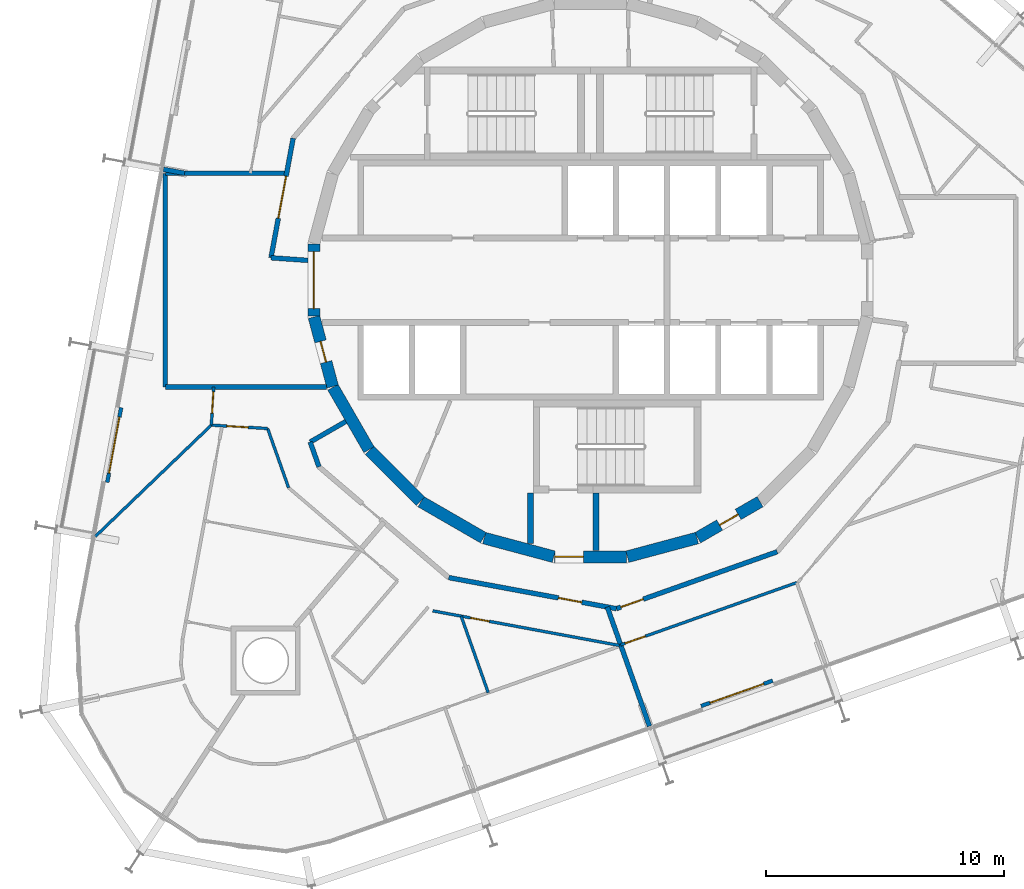
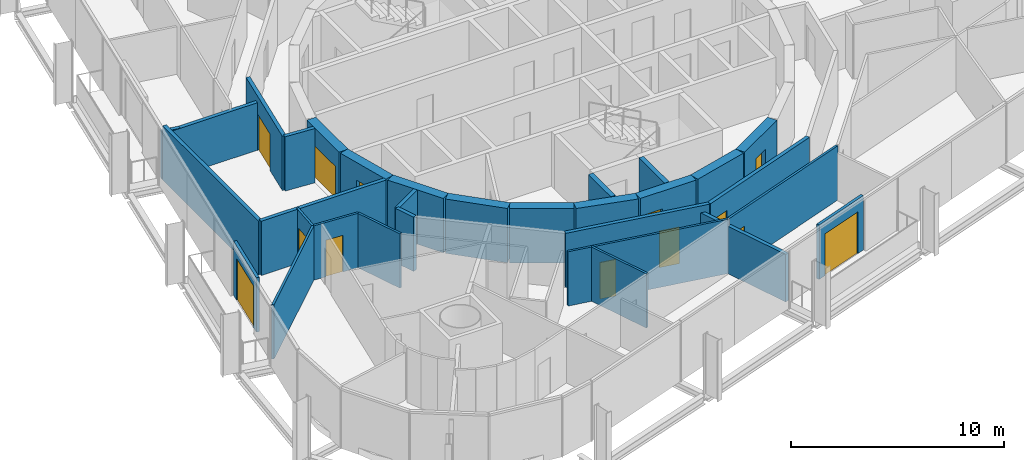
# One storey, part 11 of 17: 31 walls, 13 doors, 13 openings.
"""IFC4 building model written with IfcOpenShell, lengths in metres."""

import ifcopenshell
import ifcopenshell.guid

model = None  # the IFC model being written
_history = None  # IfcOwnerHistory: only IFC2X3 demands one
_inside = {}  # id of a spatial element -> (the spatial element, [elements in it])
_under = {}  # id of a project, library or spatial element -> (it, [spatial elements below it])
_declared = {}  # id of a project -> (the project, [libraries it declares])
_typed = {}  # id of a type object -> (the type object, [elements of that type])
_made_of = {}  # id of a material, layer set ... -> (it, [elements and type objects made of it])


def new_model(schema):
    """Start an empty IFC model of exactly this schema.

    Asked for "IFC4X3", IfcOpenShell would pick the latest addendum, in which some entities
    have other attributes; the version numbers below select the first issue.
    IFC2X3 requires an IfcOwnerHistory on every rooted entity: one is made here for all.
    """
    global model, _history
    if schema == "IFC4X3":
        model = ifcopenshell.file(schema_version=(4, 3, 0, 0))
    else:
        model = ifcopenshell.file(schema=schema)
    _inside.clear()
    _under.clear()
    _declared.clear()
    _typed.clear()
    _made_of.clear()
    _history = None
    if model.schema == "IFC2X3":
        org = make("IfcOrganization", Name="unknown")
        user = make(
            "IfcPersonAndOrganization",
            ThePerson=make("IfcPerson", FamilyName="unknown"),
            TheOrganization=org,
        )
        app = make(
            "IfcApplication",
            ApplicationDeveloper=org,
            Version="unknown",
            ApplicationFullName="unknown",
            ApplicationIdentifier="unknown",
        )
        _history = make(
            "IfcOwnerHistory",
            OwningUser=user,
            OwningApplication=app,
            ChangeAction="ADDED",
            CreationDate=0,
        )
    return model


def make(cls, **values):
    """One entity of the class cls with the attributes given. An attribute that is None is left unset."""
    return model.create_entity(
        cls, **{name: value for name, value in values.items() if value is not None}
    )


def rooted(cls, **values):
    """An entity with a GlobalId (a new one), such as an element, a storey or a relation."""
    return make(cls, GlobalId=ifcopenshell.guid.new(), OwnerHistory=_history, **values)


def si_unit(unit_type, name, prefix=None):
    """IfcSIUnit, for example si_unit("LENGTHUNIT", "METRE", prefix="MILLI")."""
    return make("IfcSIUnit", UnitType=unit_type, Prefix=prefix, Name=name)


def assignment(units):
    """IfcUnitAssignment: the units of a project."""
    return None if units is None else make("IfcUnitAssignment", Units=units)


def point(xyz):
    """IfcCartesianPoint."""
    return None if xyz is None else make("IfcCartesianPoint", Coordinates=xyz)


def direction(xyz):
    """IfcDirection."""
    return None if xyz is None else make("IfcDirection", DirectionRatios=xyz)


def frame(location, z_axis=None, x_axis=None):
    """IfcAxis2Placement3D, a coordinate frame: its origin and axes. An axis left out is left unset."""
    return make(
        "IfcAxis2Placement3D",
        Location=point(location),
        Axis=direction(z_axis),
        RefDirection=direction(x_axis),
    )


def frame_2d(location, x_axis=None):
    """IfcAxis2Placement2D, a coordinate frame in the plane: its origin and x axis."""
    return make(
        "IfcAxis2Placement2D", Location=point(location), RefDirection=direction(x_axis)
    )


def origin():
    """The frame at (0, 0, 0) with its axes left unset."""
    return frame((0.0, 0.0, 0.0))


def place(relative_to, where):
    """IfcLocalPlacement: puts the frame where relative to a parent placement (None: the world)."""
    return make(
        "IfcLocalPlacement", PlacementRelTo=relative_to, RelativePlacement=where
    )


def context(
    kind, dimensions, precision=None, world=None, true_north=None, identifier=None
):
    """IfcGeometricRepresentationContext, for example the 3D "Model" context."""
    return make(
        "IfcGeometricRepresentationContext",
        ContextIdentifier=identifier,
        ContextType=kind,
        CoordinateSpaceDimension=dimensions,
        Precision=precision,
        WorldCoordinateSystem=world,
        TrueNorth=true_north,
    )


def subcontext(parent, identifier, kind, view, scale=None):
    """IfcGeometricRepresentationSubContext, for example "Body" below "Model"."""
    return make(
        "IfcGeometricRepresentationSubContext",
        ContextIdentifier=identifier,
        ContextType=kind,
        ParentContext=parent,
        TargetScale=scale,
        TargetView=view,
    )


def project(units=None, contexts=None):
    """IfcProject with its units and contexts."""
    return rooted(
        "IfcProject",
        Name="project",
        RepresentationContexts=contexts,
        UnitsInContext=assignment(units),
    )


def spatial(cls, under=None, at=None, **own):
    """A site, building, storey or space (cls), placed at a placement, below another one or the project."""
    s = rooted(cls, ObjectPlacement=at, **own)
    if under is not None:
        _under.setdefault(under.id(), (under, []))[1].append(s)
    return s


def profile(cls, at=None, kind="AREA", **sizes):
    """A parametric profile (cls). Its sizes go by their IFC names, for example OverallWidth=200.0."""
    return make(cls, ProfileType=kind, Position=at, **sizes)


def rectangle(**sizes):
    """IfcRectangleProfileDef."""
    return profile("IfcRectangleProfileDef", **sizes)


def extrude(swept, where, along, depth):
    """IfcExtrudedAreaSolid: the profile swept, set in the frame where, extruded along a direction by depth."""
    return make(
        "IfcExtrudedAreaSolid",
        SweptArea=swept,
        Position=where,
        ExtrudedDirection=direction(along),
        Depth=depth,
    )


def shape(context_of_items, identifier, shape_type, items):
    """IfcShapeRepresentation: the items that make up one representation, for example the "Body"."""
    return make(
        "IfcShapeRepresentation",
        ContextOfItems=context_of_items,
        RepresentationIdentifier=identifier,
        RepresentationType=shape_type,
        Items=items,
    )


def material(Name=None, Category=None):
    """IfcMaterial."""
    return make("IfcMaterial", Name=Name, Category=Category)


def layer(
    of_material, thickness, ventilated=None, Name=None, Category=None, Priority=None
):
    """IfcMaterialLayer: one layer of a wall or slab, of a material (None: an air gap)."""
    return make(
        "IfcMaterialLayer",
        Material=of_material,
        LayerThickness=thickness,
        IsVentilated=ventilated,
        Name=Name,
        Category=Category,
        Priority=Priority,
    )


def layer_set(layers, Name=None):
    """IfcMaterialLayerSet."""
    return make("IfcMaterialLayerSet", MaterialLayers=layers, LayerSetName=Name)


def made_of(thing, what):
    """Note that an element or type object is made of a material, layer set ...; save() writes the relation."""
    if what is not None:
        _made_of.setdefault(what.id(), (what, []))[1].append(thing)
    return thing


def type_object(cls, material=None, **own):
    """A type object (cls), such as IfcWallType, which elements share."""
    return made_of(rooted(cls, **own), material)


def element(
    cls,
    number,
    at=None,
    inside=None,
    cuts=None,
    type_object=None,
    material=None,
    context=None,
    identifier="Body",
    shape_type=None,
    held_by="IfcProductDefinitionShape",
    body=None,
    shapes=None,
    **own,
):
    """One element of the class cls, such as IfcWall. Its Tag is "e" and its number.

    at: its placement. inside: the storey or other place that contains it. cuts: it is an
    opening in that element (IfcRelVoidsElement). A single representation is given by context,
    identifier, shape_type and body (its items); several are given by shapes. held_by: the class
    of the entity that holds the representations. save() writes the other relations.
    """
    e = rooted(cls, Tag="e%d" % number, ObjectPlacement=at, **own)
    if body is not None:
        shapes = [shape(context, identifier, shape_type, body)]
    if shapes is not None:
        e.Representation = make(held_by, Representations=shapes)
    if inside is not None:
        _inside.setdefault(inside.id(), (inside, []))[1].append(e)
    if cuts is not None:
        rooted(
            "IfcRelVoidsElement", RelatingBuildingElement=cuts, RelatedOpeningElement=e
        )
    if type_object is not None:
        _typed.setdefault(type_object.id(), (type_object, []))[1].append(e)
    return made_of(e, material)


def fill(opening, filler):
    """IfcRelFillsElement: the door or window that sits in an opening."""
    return rooted(
        "IfcRelFillsElement",
        RelatingOpeningElement=opening,
        RelatedBuildingElement=filler,
    )


def aggregate(whole, parts):
    """IfcRelAggregates: a whole, such as a stair, and the parts it consists of."""
    return rooted("IfcRelAggregates", RelatingObject=whole, RelatedObjects=parts)


def save(model, path):
    """Write the relations noted so far, then the file.

    IfcRelAggregates (storeys below a building ...), IfcRelContainedInSpatialStructure (elements
    in a storey), IfcRelDefinesByType, IfcRelAssociatesMaterial and IfcRelDeclares: one each for
    every whole, place, type object, material and project.
    """
    for whole, parts in _under.values():
        aggregate(whole, parts)
    for where, things in _inside.values():
        rooted(
            "IfcRelContainedInSpatialStructure",
            RelatedElements=things,
            RelatingStructure=where,
        )
    for kind, things in _typed.values():
        rooted("IfcRelDefinesByType", RelatedObjects=things, RelatingType=kind)
    for what, things in _made_of.values():
        rooted("IfcRelAssociatesMaterial", RelatedObjects=things, RelatingMaterial=what)
    for by, libraries in _declared.values():
        rooted("IfcRelDeclares", RelatingContext=by, RelatedDefinitions=libraries)
    model.write(path)


model = new_model("IFC4")

# Units and contexts
model_context = context("Model", 3, precision=1e-05, world=origin(), true_north=direction((0.0, 1.0)))
body_context = subcontext(model_context, "Body", "Model", "MODEL_VIEW")
ifc_project = project(units=[si_unit("LENGTHUNIT", "METRE"), si_unit("AREAUNIT", "SQUARE_METRE"), si_unit("VOLUMEUNIT", "CUBIC_METRE"), si_unit("PLANEANGLEUNIT", "RADIAN"), si_unit("MASSUNIT", "GRAM", prefix="KILO")], contexts=[model_context])

# Site, building, storey
site_placement = place(None, origin())
site = spatial("IfcSite", under=ifc_project, at=site_placement, CompositionType="ELEMENT")
building_placement = place(site_placement, origin())
building = spatial("IfcBuilding", under=site, at=building_placement, Name="Spindle Arch Residences", CompositionType="ELEMENT")
storey_placement = place(building_placement, frame((0.0, 0.0, 176.199951171875)))
storey = spatial("IfcBuildingStorey", under=building, at=storey_placement, Name="L44", CompositionType="ELEMENT", Elevation=176.199951171875)

# Wall
ifc_material_1 = material(Name="Concrete C50/60", Category="concrete")
ifc_layer_1 = layer(ifc_material_1, 0.5)
ifc_layer_set_1 = layer_set([ifc_layer_1], Name="Core outline wall 500")
wall_type_1 = type_object("IfcWallType", Name="Core outline wall 500", PredefinedType="SHEAR", material=ifc_layer_set_1)
wall_1_placement = place(storey_placement, frame((1.5498046875, -11.642822265625, 0.0), z_axis=(0.0, 0.0, 1.0), x_axis=(0.965948410781, 0.258734743916, 0.0)))
element("IfcWall", 1, at=wall_1_placement, inside=storey, type_object=wall_type_1, Name="Core outline wall 1", PredefinedType="SHEAR", context=body_context, shape_type="SweptSolid", body=[
    extrude(rectangle(XDim=3.03271484375, YDim=0.5, at=frame_2d((1.516357421875, 0.0))), origin(), (0.0, 0.0, 1.0), 3.1201171875),
])

# Wall, opening, door
wall_2_placement = place(storey_placement, frame((4.510498046875, -10.84521484375, 0.0), z_axis=(0.0, 0.0, 1.0), x_axis=(0.865975092491, 0.500087131594, 0.0)))
wall_2 = element("IfcWall", 2, at=wall_2_placement, inside=storey, type_object=wall_type_1, Name="Core outline wall 2", PredefinedType="SHEAR", context=body_context, shape_type="SweptSolid", body=[
    extrude(rectangle(XDim=3.03271484375, YDim=0.5, at=frame_2d((1.516357421875, 0.0))), origin(), (0.0, 0.0, 1.0), 3.1201171875),
])
opening_1_placement = place(wall_2_placement, frame((1.06640625, 0.0, 0.0)))
opening_1 = element("IfcOpeningElement", 3, at=opening_1_placement, cuts=wall_2, Name="Opening R4C1-WD07", PredefinedType="OPENING", context=body_context, shape_type="SweptSolid", body=[
    extrude(rectangle(XDim=0.89990234375, YDim=2.10009765625, at=frame_2d((0.449951171875, 1.050048828125))), frame((0.0, 0.260009765625, 0.0), z_axis=(0.0, -1.0, 0.0), x_axis=(1.0, 0.0, 0.0)), (0.0, 0.0, 1.0), 0.52001953125),
])
ifc_material_2 = material(Name="Steel, fire-resisting door", Category="steel")
door_type_1 = type_object("IfcDoorType", Name="Service room door 900x2100", OperationType="SINGLE_SWING_LEFT", PredefinedType="DOOR", material=ifc_material_2)
door_1_placement = place(opening_1_placement, origin())
door_1 = element("IfcDoor", 4, at=door_1_placement, inside=storey, type_object=door_type_1, Name="Service room door R4C1-WD07", OperationType="SINGLE_SWING_LEFT", OverallHeight=2.10009765625, OverallWidth=0.89990234375, PredefinedType="DOOR", context=body_context, shape_type="SweptSolid", body=[
    extrude(rectangle(XDim=0.89990234375, YDim=2.10009765625, at=frame_2d((0.449951171875, 1.050048828125))), frame((0.0, 0.02490234375, 0.0), z_axis=(0.0, -1.0, 0.0), x_axis=(1.0, 0.0, 0.0)), (0.0, 0.0, 1.0), 0.050048828125),
])
fill(opening_1, door_1)

wall_3_placement = place(storey_placement, frame((-11.647216796875, 1.516357421875, 0.0), z_axis=(0.0, 0.0, 1.0), x_axis=(0.0, -1.0, 0.0)))
wall_3 = element("IfcWall", 5, at=wall_3_placement, inside=storey, type_object=wall_type_1, Name="Core outline wall 18", PredefinedType="SHEAR", context=body_context, shape_type="SweptSolid", body=[
    extrude(rectangle(XDim=3.03271484375, YDim=0.5, at=frame_2d((1.516357421875, 0.0))), origin(), (0.0, 0.0, 1.0), 3.1201171875),
])
opening_2_placement = place(wall_3_placement, frame((0.31640625, 0.0, 0.0)))
opening_2 = element("IfcOpeningElement", 6, at=opening_2_placement, cuts=wall_3, Name="Opening R4C1-LE01", PredefinedType="OPENING", context=body_context, shape_type="SweptSolid", body=[
    extrude(rectangle(XDim=2.39990234375, YDim=2.10009765625, at=frame_2d((1.199951171875, 1.050048828125))), frame((0.0, 0.260009765625, 0.0), z_axis=(0.0, -1.0, 0.0), x_axis=(1.0, 0.0, 0.0)), (0.0, 0.0, 1.0), 0.52001953125),
])
ifc_material_3 = material(Name="Steel, fire-resisting door", Category="steel")
door_type_2 = type_object("IfcDoorType", Name="Lift lobby entrance door 2400x2100", OperationType="DOUBLE_DOOR_SINGLE_SWING", PredefinedType="DOOR", material=ifc_material_3)
door_2_placement = place(opening_2_placement, origin())
door_2 = element("IfcDoor", 7, at=door_2_placement, inside=storey, type_object=door_type_2, Name="Lift lobby entrance door R4C1-LE01", OperationType="DOUBLE_DOOR_SINGLE_SWING", OverallHeight=2.10009765625, OverallWidth=2.39990234375, PredefinedType="DOOR", context=body_context, shape_type="SweptSolid", body=[
    extrude(rectangle(XDim=2.39990234375, YDim=2.10009765625, at=frame_2d((1.199951171875, 1.050048828125))), frame((0.0, 0.02490234375, 0.0), z_axis=(0.0, -1.0, 0.0), x_axis=(1.0, 0.0, 0.0)), (0.0, 0.0, 1.0), 0.050048828125),
])
fill(opening_2, door_2)

wall_4_placement = place(storey_placement, frame((-11.642822265625, -1.5498046875, 0.0), z_axis=(0.0, 0.0, 1.0), x_axis=(0.258734743916, -0.965948410781, 0.0)))
wall_4 = element("IfcWall", 8, at=wall_4_placement, inside=storey, type_object=wall_type_1, Name="Core outline wall 19", PredefinedType="SHEAR", context=body_context, shape_type="SweptSolid", body=[
    extrude(rectangle(XDim=3.03271484375, YDim=0.5, at=frame_2d((1.516357421875, 0.0))), origin(), (0.0, 0.0, 1.0), 3.1201171875),
])
opening_3_placement = place(wall_4_placement, frame((1.06640625, 0.0, 0.0)))
opening_3 = element("IfcOpeningElement", 9, at=opening_3_placement, cuts=wall_4, Name="Opening R4C1-WD08", PredefinedType="OPENING", context=body_context, shape_type="SweptSolid", body=[
    extrude(rectangle(XDim=0.89990234375, YDim=2.10009765625, at=frame_2d((0.449951171875, 1.050048828125))), frame((0.0, 0.260009765625, 0.0), z_axis=(0.0, -1.0, 0.0), x_axis=(1.0, 0.0, 0.0)), (0.0, 0.0, 1.0), 0.52001953125),
])
door_3_placement = place(opening_3_placement, origin())
door_3 = element("IfcDoor", 10, at=door_3_placement, inside=storey, type_object=door_type_1, Name="Service room door R4C1-WD08", OperationType="SINGLE_SWING_RIGHT", OverallHeight=2.10009765625, OverallWidth=0.89990234375, PredefinedType="DOOR", context=body_context, shape_type="SweptSolid", body=[
    extrude(rectangle(XDim=0.89990234375, YDim=2.10009765625, at=frame_2d((0.449951171875, 1.050048828125))), frame((0.0, 0.02490234375, 0.0), z_axis=(0.0, -1.0, 0.0), x_axis=(1.0, 0.0, 0.0)), (0.0, 0.0, 1.0), 0.050048828125),
])
fill(opening_3, door_3)

# Walls
wall_5_placement = place(storey_placement, frame((-10.84521484375, -4.510498046875, 0.0), z_axis=(0.0, 0.0, 1.0), x_axis=(0.500087131594, -0.865975092491, 0.0)))
element("IfcWall", 11, at=wall_5_placement, inside=storey, type_object=wall_type_1, Name="Core outline wall 20", PredefinedType="SHEAR", context=body_context, shape_type="SweptSolid", body=[
    extrude(rectangle(XDim=3.03271484375, YDim=0.5, at=frame_2d((1.516357421875, 0.0))), origin(), (0.0, 0.0, 1.0), 3.1201171875),
])
wall_6_placement = place(storey_placement, frame((-9.30810546875, -7.163818359375, 0.0), z_axis=(0.0, 0.0, 1.0), x_axis=(0.707106781187, -0.707106781187, 0.0)))
element("IfcWall", 12, at=wall_6_placement, inside=storey, type_object=wall_type_1, Name="Core outline wall 21", PredefinedType="SHEAR", context=body_context, shape_type="SweptSolid", body=[
    extrude(rectangle(XDim=3.032470703125, YDim=0.5, at=frame_2d((1.51611328125, 0.0))), origin(), (0.0, 0.0, 1.0), 3.1201171875),
])
for number, where, z_axis, x_axis, name in (
    (13, (-7.13671875, -9.32861328125, 0.0), (0.0, 0.0, 1.0), (0.865975092491, -0.500087131594, 0.0), "Core outline wall 22"),
    (14, (-4.479248046875, -10.858154296875, 0.0), (0.0, 0.0, 1.0), (0.965948410781, -0.258734743916, 0.0), "Core outline wall 23"),
):
    element("IfcWall", number, at=place(storey_placement, frame(where, z_axis=z_axis, x_axis=x_axis)), inside=storey, type_object=wall_type_1, Name=name, PredefinedType="SHEAR", context=body_context, shape_type="SweptSolid", body=[
        extrude(rectangle(XDim=3.03271484375, YDim=0.5, at=frame_2d((1.516357421875, 0.0))), origin(), (0.0, 0.0, 1.0), 3.1201171875),
    ])

# Wall, opening, door
wall_7_placement = place(storey_placement, frame((-1.516357421875, -11.647216796875, 0.0), z_axis=(0.0, 0.0, 1.0), x_axis=(1.0, 0.0, 0.0)))
wall_7 = element("IfcWall", 15, at=wall_7_placement, inside=storey, type_object=wall_type_1, Name="Core outline wall 24", PredefinedType="SHEAR", context=body_context, shape_type="SweptSolid", body=[
    extrude(rectangle(XDim=3.03271484375, YDim=0.5, at=frame_2d((1.516357421875, 0.0))), origin(), (0.0, 0.0, 1.0), 3.1201171875),
])
opening_4_placement = place(wall_7_placement, frame((0.016357421875, 0.0, 0.0)))
opening_4 = element("IfcOpeningElement", 16, at=opening_4_placement, cuts=wall_7, Name="Opening R4C1-AD03", PredefinedType="OPENING", context=body_context, shape_type="SweptSolid", body=[
    extrude(rectangle(XDim=1.199951171875, YDim=2.10009765625, at=frame_2d((0.60009765625, 1.050048828125))), frame((0.0, 0.260009765625, 0.0), z_axis=(0.0, -1.0, 0.0), x_axis=(1.0, 0.0, 0.0)), (0.0, 0.0, 1.0), 0.52001953125),
])
ifc_material_4 = material(Name="Steel, fire-resisting door", Category="steel")
door_type_3 = type_object("IfcDoorType", Name="Stair airlock door 1200x2100", OperationType="SINGLE_SWING_LEFT", PredefinedType="DOOR", material=ifc_material_4)
door_4_placement = place(opening_4_placement, origin())
door_4 = element("IfcDoor", 17, at=door_4_placement, inside=storey, type_object=door_type_3, Name="Stair airlock door R4C1-AD03", OperationType="SINGLE_SWING_RIGHT", OverallHeight=2.10009765625, OverallWidth=1.199951171875, PredefinedType="DOOR", context=body_context, shape_type="SweptSolid", body=[
    extrude(rectangle(XDim=1.199951171875, YDim=2.10009765625, at=frame_2d((0.60009765625, 1.050048828125))), frame((0.0, 0.02490234375, 0.0), z_axis=(0.0, -1.0, 0.0), x_axis=(1.0, 0.0, 0.0)), (0.0, 0.0, 1.0), 0.050048828125),
])
fill(opening_4, door_4)

# Walls
ifc_material_5 = material(Name="Calcium silicate block, plastered")
ifc_layer_2 = layer(ifc_material_5, 0.199951171875)
ifc_layer_set_2 = layer_set([ifc_layer_2], Name="Corridor wall 200")
wall_type_2 = type_object("IfcWallType", Name="Corridor wall 200", PredefinedType="STANDARD", material=ifc_layer_set_2)
wall_8_placement = place(storey_placement, frame((-10.303466796875, -5.94873046875, 0.0), z_axis=(0.0, 0.0, 1.0), x_axis=(-0.866021168401, -0.500007335828, 0.0)))
element("IfcWall", 18, at=wall_8_placement, inside=storey, type_object=wall_type_2, Name="Corridor wall R4C1-W014", PredefinedType="STANDARD", context=body_context, shape_type="SweptSolid", body=[
    extrude(rectangle(XDim=1.73095703125, YDim=0.199951171875, at=frame_2d((0.865478515625, 0.0))), origin(), (0.0, 0.0, 1.0), 3.1201171875),
])
wall_9_placement = place(storey_placement, frame((-11.802490234375, -6.814208984375, 0.0), z_axis=(0.0, 0.0, 1.0), x_axis=(0.333904297771, -0.942606980629, 0.0)))
element("IfcWall", 19, at=wall_9_placement, inside=storey, type_object=wall_type_2, Name="Corridor wall R4C1-W015", PredefinedType="STANDARD", context=body_context, shape_type="SweptSolid", body=[
    extrude(rectangle(XDim=1.10693359375, YDim=0.199951171875, at=frame_2d((0.553466796875, 0.0))), origin(), (0.0, 0.0, 1.0), 3.1201171875),
])

# Wall, opening, door
wall_10_placement = place(storey_placement, frame((-5.972412109375, -12.521240234375, 0.0), z_axis=(0.0, 0.0, 1.0), x_axis=(0.983256068163, -0.18222926335, 0.0)))
wall_10 = element("IfcWall", 20, at=wall_10_placement, inside=storey, type_object=wall_type_2, Name="Corridor wall R4C1-W017", PredefinedType="STANDARD", context=body_context, shape_type="SweptSolid", body=[
    extrude(rectangle(XDim=7.180908203125, YDim=0.199951171875, at=frame_2d((3.59033203125, 0.0))), origin(), (0.0, 0.0, 1.0), 3.1201171875),
])
opening_5_placement = place(wall_10_placement, frame((4.699951171875, 0.0, 0.0)))
opening_5 = element("IfcOpeningElement", 21, at=opening_5_placement, cuts=wall_10, Name="Opening R4C1-FD05", PredefinedType="OPENING", context=body_context, shape_type="SweptSolid", body=[
    extrude(rectangle(XDim=1.0, YDim=2.10009765625, at=frame_2d((0.5, 1.050048828125))), frame((0.0, 0.10986328125, 0.0), z_axis=(0.0, -1.0, 0.0), x_axis=(1.0, 0.0, 0.0)), (0.0, 0.0, 1.0), 0.219970703125),
])
ifc_material_6 = material(Name="Timber, fire-resisting door set", Category="wood")
door_type_4 = type_object("IfcDoorType", Name="Flat entrance door 1000x2100", OperationType="NOTDEFINED", PredefinedType="DOOR", material=ifc_material_6)
door_5_placement = place(opening_5_placement, origin())
door_5 = element("IfcDoor", 22, at=door_5_placement, inside=storey, type_object=door_type_4, Name="Flat entrance door R4C1-FD05", OperationType="SINGLE_SWING_LEFT", OverallHeight=2.10009765625, OverallWidth=1.0, PredefinedType="DOOR", context=body_context, shape_type="SweptSolid", body=[
    extrude(rectangle(XDim=1.0, YDim=2.10009765625, at=frame_2d((0.5, 1.050048828125))), frame((0.0, 0.02490234375, 0.0), z_axis=(0.0, -1.0, 0.0), x_axis=(1.0, 0.0, 0.0)), (0.0, 0.0, 1.0), 0.050048828125),
])
fill(opening_5, door_5)

wall_11_placement = place(storey_placement, frame((1.08837890625, -13.829833984375, 0.0), z_axis=(0.0, 0.0, 1.0), x_axis=(0.942648397945, 0.333787354241, 0.0)))
wall_11 = element("IfcWall", 23, at=wall_11_placement, inside=storey, type_object=wall_type_2, Name="Corridor wall R4C1-W018", PredefinedType="STANDARD", context=body_context, shape_type="SweptSolid", body=[
    extrude(rectangle(XDim=7.18115234375, YDim=0.199951171875, at=frame_2d((3.590576171875, 0.0))), origin(), (0.0, 0.0, 1.0), 3.1201171875),
])
opening_6_placement = place(wall_11_placement, frame((0.199951171875, 0.0, 0.0)))
opening_6 = element("IfcOpeningElement", 24, at=opening_6_placement, cuts=wall_11, Name="Opening R4C1-FD06", PredefinedType="OPENING", context=body_context, shape_type="SweptSolid", body=[
    extrude(rectangle(XDim=1.0, YDim=2.10009765625, at=frame_2d((0.5, 1.050048828125))), frame((0.0, 0.10986328125, 0.0), z_axis=(0.0, -1.0, 0.0), x_axis=(1.0, 0.0, 0.0)), (0.0, 0.0, 1.0), 0.219970703125),
])
door_6_placement = place(opening_6_placement, origin())
door_6 = element("IfcDoor", 25, at=door_6_placement, inside=storey, type_object=door_type_4, Name="Flat entrance door R4C1-FD06", OperationType="SINGLE_SWING_LEFT", OverallHeight=2.10009765625, OverallWidth=1.0, PredefinedType="DOOR", context=body_context, shape_type="SweptSolid", body=[
    extrude(rectangle(XDim=1.0, YDim=2.10009765625, at=frame_2d((0.5, 1.050048828125))), frame((0.0, 0.02490234375, 0.0), z_axis=(0.0, -1.0, 0.0), x_axis=(1.0, 0.0, 0.0)), (0.0, 0.0, 1.0), 0.050048828125),
])
fill(opening_6, door_6)

ifc_material_7 = material(Name="Plasterboard on steel studs", Category="steel")
ifc_layer_3 = layer(ifc_material_7, 0.1201171875)
ifc_layer_set_3 = layer_set([ifc_layer_3], Name="Flat partition 120")
wall_type_3 = type_object("IfcWallType", Name="Flat partition 120", PredefinedType="PARTITIONING", material=ifc_layer_set_3)
wall_12_placement = place(storey_placement, frame((-15.866455078125, -4.5, 0.0), z_axis=(0.0, 0.0, 1.0), x_axis=(-0.060986374837, -0.998138598635, 0.0)))
wall_12 = element("IfcWall", 26, at=wall_12_placement, inside=storey, type_object=wall_type_3, Name="Flat partition R4C1-W082", PredefinedType="PARTITIONING", context=body_context, shape_type="SweptSolid", body=[
    extrude(rectangle(XDim=1.605224609375, YDim=0.1201171875, at=frame_2d((0.802734375, 0.0))), origin(), (0.0, 0.0, 1.0), 3.1201171875),
])
opening_7_placement = place(wall_12_placement, frame((0.199951171875, 0.0, 0.0)))
opening_7 = element("IfcOpeningElement", 27, at=opening_7_placement, cuts=wall_12, Name="Opening R4C1-ID17", PredefinedType="OPENING", context=body_context, shape_type="SweptSolid", body=[
    extrude(rectangle(XDim=0.89990234375, YDim=2.10009765625, at=frame_2d((0.449951171875, 1.050048828125))), frame((0.0, 0.070068359375, 0.0), z_axis=(0.0, -1.0, 0.0), x_axis=(1.0, 0.0, 0.0)), (0.0, 0.0, 1.0), 0.14013671875),
])
ifc_material_8 = material(Name="Timber door set", Category="wood")
door_type_5 = type_object("IfcDoorType", Name="Room door 900x2100", OperationType="NOTDEFINED", PredefinedType="DOOR", material=ifc_material_8)
door_7_placement = place(opening_7_placement, origin())
door_7 = element("IfcDoor", 28, at=door_7_placement, inside=storey, type_object=door_type_5, Name="Room door R4C1-ID17", OperationType="SINGLE_SWING_RIGHT", OverallHeight=2.10009765625, OverallWidth=0.89990234375, PredefinedType="DOOR", context=body_context, shape_type="SweptSolid", body=[
    extrude(rectangle(XDim=0.89990234375, YDim=2.10009765625, at=frame_2d((0.449951171875, 1.050048828125))), frame((0.0, 0.02490234375, 0.0), z_axis=(0.0, -1.0, 0.0), x_axis=(1.0, 0.0, 0.0)), (0.0, 0.0, 1.0), 0.050048828125),
])
fill(opening_7, door_7)

wall_13_placement = place(storey_placement, frame((-15.96435546875, -6.102294921875, 0.0), z_axis=(0.0, 0.0, 1.0), x_axis=(0.998145469708, -0.060873814574, 0.0)))
wall_13 = element("IfcWall", 29, at=wall_13_placement, inside=storey, type_object=wall_type_3, Name="Flat partition R4C1-W083", PredefinedType="PARTITIONING", context=body_context, shape_type="SweptSolid", body=[
    extrude(rectangle(XDim=2.374267578125, YDim=0.1201171875, at=frame_2d((1.18701171875, 0.0))), origin(), (0.0, 0.0, 1.0), 3.1201171875),
])
opening_8_placement = place(wall_13_placement, frame((0.655517578125, 0.0, 0.0)))
opening_8 = element("IfcOpeningElement", 30, at=opening_8_placement, cuts=wall_13, Name="Opening R4C1-ID18", PredefinedType="OPENING", context=body_context, shape_type="SweptSolid", body=[
    extrude(rectangle(XDim=0.89990234375, YDim=2.10009765625, at=frame_2d((0.449951171875, 1.050048828125))), frame((0.0, 0.070068359375, 0.0), z_axis=(0.0, -1.0, 0.0), x_axis=(1.0, 0.0, 0.0)), (0.0, 0.0, 1.0), 0.14013671875),
])
door_8_placement = place(opening_8_placement, origin())
door_8 = element("IfcDoor", 31, at=door_8_placement, inside=storey, type_object=door_type_5, Name="Room door R4C1-ID18", OperationType="SINGLE_SWING_RIGHT", OverallHeight=2.10009765625, OverallWidth=0.89990234375, PredefinedType="DOOR", context=body_context, shape_type="SweptSolid", body=[
    extrude(rectangle(XDim=0.89990234375, YDim=2.10009765625, at=frame_2d((0.449951171875, 1.050048828125))), frame((0.0, 0.02490234375, 0.0), z_axis=(0.0, -1.0, 0.0), x_axis=(1.0, 0.0, 0.0)), (0.0, 0.0, 1.0), 0.050048828125),
])
fill(opening_8, door_8)

# Walls
wall_14_placement = place(storey_placement, frame((-13.594482421875, -6.246826171875, 0.0), z_axis=(0.0, 0.0, 1.0), x_axis=(0.333777006894, -0.942652061828, 0.0)))
element("IfcWall", 32, at=wall_14_placement, inside=storey, type_object=wall_type_3, Name="Flat partition R4C1-W084", PredefinedType="PARTITIONING", context=body_context, shape_type="SweptSolid", body=[
    extrude(rectangle(XDim=2.64208984375, YDim=0.1201171875, at=frame_2d((1.321044921875, 0.0))), origin(), (0.0, 0.0, 1.0), 3.1201171875),
])
wall_15_placement = place(storey_placement, frame((-20.8486328125, -10.79150390625, 0.0), z_axis=(0.0, 0.0, 1.0), x_axis=(0.721364983662, 0.692555095531, 0.0)))
element("IfcWall", 33, at=wall_15_placement, inside=storey, type_object=wall_type_3, Name="Flat partition R4C1-W086", PredefinedType="PARTITIONING", context=body_context, shape_type="SweptSolid", body=[
    extrude(rectangle(XDim=6.77099609375, YDim=0.1201171875, at=frame_2d((3.385498046875, 0.0))), origin(), (0.0, 0.0, 1.0), 3.1201171875),
])

# Wall, opening, door
wall_16_placement = place(storey_placement, frame((-6.640869140625, -13.9228515625, 0.0), z_axis=(0.0, 0.0, 1.0), x_axis=(0.983250157272, -0.182261153912, 0.0)))
wall_16 = element("IfcWall", 34, at=wall_16_placement, inside=storey, type_object=wall_type_3, Name="Flat partition R4C1-W099", PredefinedType="PARTITIONING", context=body_context, shape_type="SweptSolid", body=[
    extrude(rectangle(XDim=7.98486328125, YDim=0.1201171875, at=frame_2d((3.992431640625, 0.0))), origin(), (0.0, 0.0, 1.0), 3.1201171875),
])
opening_9_placement = place(wall_16_placement, frame((1.6123046875, 0.0, 0.0)))
opening_9 = element("IfcOpeningElement", 35, at=opening_9_placement, cuts=wall_16, Name="Opening R4C1-BD05", PredefinedType="OPENING", context=body_context, shape_type="SweptSolid", body=[
    extrude(rectangle(XDim=0.800048828125, YDim=2.10009765625, at=frame_2d((0.39990234375, 1.050048828125))), frame((0.0, 0.070068359375, 0.0), z_axis=(0.0, -1.0, 0.0), x_axis=(1.0, 0.0, 0.0)), (0.0, 0.0, 1.0), 0.14013671875),
])
ifc_material_9 = material(Name="Timber door set", Category="wood")
door_type_6 = type_object("IfcDoorType", Name="Bathroom door 800x2100", OperationType="NOTDEFINED", PredefinedType="DOOR", material=ifc_material_9)
door_9_placement = place(opening_9_placement, origin())
door_9 = element("IfcDoor", 36, at=door_9_placement, inside=storey, type_object=door_type_6, Name="Bathroom door R4C1-BD05", OperationType="SINGLE_SWING_LEFT", OverallHeight=2.10009765625, OverallWidth=0.800048828125, PredefinedType="DOOR", context=body_context, shape_type="SweptSolid", body=[
    extrude(rectangle(XDim=0.800048828125, YDim=2.10009765625, at=frame_2d((0.39990234375, 1.050048828125))), frame((0.0, 0.02490234375, 0.0), z_axis=(0.0, -1.0, 0.0), x_axis=(1.0, 0.0, 0.0)), (0.0, 0.0, 1.0), 0.050048828125),
])
fill(opening_9, door_9)

# Wall
wall_17_placement = place(storey_placement, frame((-4.3076171875, -17.366943359375, 0.0), z_axis=(0.0, 0.0, 1.0), x_axis=(-0.333802202677, 0.942643140052, 0.0)))
element("IfcWall", 37, at=wall_17_placement, inside=storey, type_object=wall_type_3, Name="Flat partition R4C1-W107", PredefinedType="PARTITIONING", context=body_context, shape_type="SweptSolid", body=[
    extrude(rectangle(XDim=3.419189453125, YDim=0.1201171875, at=frame_2d((1.70947265625, 0.0))), origin(), (0.0, 0.0, 1.0), 3.1201171875),
])

# Wall, opening, door
wall_18_placement = place(storey_placement, frame((1.26904296875, -15.357177734375, 0.0), z_axis=(0.0, 0.0, 1.0), x_axis=(0.942639442898, 0.333812643101, 0.0)))
wall_18 = element("IfcWall", 38, at=wall_18_placement, inside=storey, type_object=wall_type_3, Name="Flat partition R4C1-W109", PredefinedType="PARTITIONING", context=body_context, shape_type="SweptSolid", body=[
    extrude(rectangle(XDim=7.860107421875, YDim=0.1201171875, at=frame_2d((3.93017578125, 0.0))), origin(), (0.0, 0.0, 1.0), 3.1201171875),
])
opening_10_placement = place(wall_18_placement, frame((0.199951171875, 0.0, 0.0)))
opening_10 = element("IfcOpeningElement", 39, at=opening_10_placement, cuts=wall_18, Name="Opening R4C1-ID27", PredefinedType="OPENING", context=body_context, shape_type="SweptSolid", body=[
    extrude(rectangle(XDim=0.89990234375, YDim=2.10009765625, at=frame_2d((0.449951171875, 1.050048828125))), frame((0.0, 0.070068359375, 0.0), z_axis=(0.0, -1.0, 0.0), x_axis=(1.0, 0.0, 0.0)), (0.0, 0.0, 1.0), 0.14013671875),
])
door_10_placement = place(opening_10_placement, origin())
door_10 = element("IfcDoor", 40, at=door_10_placement, inside=storey, type_object=door_type_5, Name="Room door R4C1-ID27", OperationType="SINGLE_SWING_LEFT", OverallHeight=2.10009765625, OverallWidth=0.89990234375, PredefinedType="DOOR", context=body_context, shape_type="SweptSolid", body=[
    extrude(rectangle(XDim=0.89990234375, YDim=2.10009765625, at=frame_2d((0.449951171875, 1.050048828125))), frame((0.0, 0.02490234375, 0.0), z_axis=(0.0, -1.0, 0.0), x_axis=(1.0, 0.0, 0.0)), (0.0, 0.0, 1.0), 0.050048828125),
])
fill(opening_10, door_10)

# Walls
ifc_material_10 = material(Name="Calcium silicate block, plastered")
ifc_layer_4 = layer(ifc_material_10, 0.199951171875)
ifc_layer_set_4 = layer_set([ifc_layer_4], Name="Flat party wall 200 under beam 2730")
wall_type_4 = type_object("IfcWallType", Name="Flat party wall 200 under beam 2730", PredefinedType="STANDARD", material=ifc_layer_set_4)
wall_19_placement = place(storey_placement, frame((-17.98388671875, 4.665283203125, 0.0), z_axis=(0.0, 0.0, 1.0), x_axis=(0.98328378843, -0.182079629313, 0.0)))
element("IfcWall", 41, at=wall_19_placement, inside=storey, type_object=wall_type_4, Name="Flat party wall R4C1-W032", PredefinedType="STANDARD", context=body_context, shape_type="SweptSolid", body=[
    extrude(rectangle(XDim=0.90771484375, YDim=0.199951171875, at=frame_2d((0.453857421875, 0.0))), origin(), (0.0, 0.0, 1.0), 2.72998046875),
])
wall_20_placement = place(storey_placement, frame((2.481689453125, -18.78173828125, 0.0), z_axis=(0.0, 0.0, 1.0), x_axis=(-0.333807281402, 0.942641341594, 0.0)))
element("IfcWall", 42, at=wall_20_placement, inside=storey, type_object=wall_type_4, Name="Flat party wall R4C1-W036", PredefinedType="STANDARD", context=body_context, shape_type="SweptSolid", body=[
    extrude(rectangle(XDim=5.328857421875, YDim=0.199951171875, at=frame_2d((2.66455078125, 0.0))), origin(), (0.0, 0.0, 1.0), 2.72998046875),
])

# Wall, opening, door
ifc_material_11 = material(Name="Non-combustible mineral wool insulated aluminium faced external wall (K0)", Category="aluminium")
ifc_layer_5 = layer(ifc_material_11, 0.159912109375)
ifc_layer_set_5 = layer_set([ifc_layer_5], Name="Insulated external wall panel 160")
wall_type_5 = type_object("IfcWallType", Name="Insulated external wall panel 160", PredefinedType="STANDARD", material=ifc_layer_set_5)
wall_21_placement = place(storey_placement, frame((-19.76220703125, -5.36865234375, 0.0), z_axis=(0.0, 0.0, 1.0), x_axis=(-0.18226136951, -0.983250117307, 0.0)))
wall_21 = element("IfcWall", 43, at=wall_21_placement, inside=storey, type_object=wall_type_5, Name="External wall L44 bay 16", PredefinedType="STANDARD", context=body_context, shape_type="SweptSolid", body=[
    extrude(rectangle(XDim=3.2001953125, YDim=0.159912109375, at=frame_2d((1.60009765625, 0.0))), origin(), (0.0, 0.0, 1.0), 3.1201171875),
])
opening_11_placement = place(wall_21_placement, frame((0.39990234375, 0.0, 0.0)))
opening_11 = element("IfcOpeningElement", 44, at=opening_11_placement, cuts=wall_21, Name="Opening BD16", PredefinedType="OPENING", context=body_context, shape_type="SweptSolid", body=[
    extrude(rectangle(XDim=2.39990234375, YDim=2.39990234375, at=frame_2d((1.199951171875, 1.199951171875))), frame((0.0, 0.08984375, 0.0), z_axis=(0.0, -1.0, 0.0), x_axis=(1.0, 0.0, 0.0)), (0.0, 0.0, 1.0), 0.179931640625),
])
ifc_material_12 = material(Name="Bronze aluminium frame, tinted double glazing", Category="aluminium")
door_type_7 = type_object("IfcDoorType", Name="Sliding glazed balcony door 2400x2400", OperationType="DOUBLE_DOOR_SLIDING", PredefinedType="DOOR", material=ifc_material_12)
door_11_placement = place(opening_11_placement, origin())
door_11 = element("IfcDoor", 45, at=door_11_placement, inside=storey, type_object=door_type_7, Name="Balcony door BD16", OperationType="DOUBLE_DOOR_SLIDING", OverallHeight=2.39990234375, OverallWidth=2.39990234375, PredefinedType="DOOR", context=body_context, shape_type="SweptSolid", body=[
    extrude(rectangle(XDim=2.39990234375, YDim=2.39990234375, at=frame_2d((1.199951171875, 1.199951171875))), frame((0.0, 0.02490234375, 0.0), z_axis=(0.0, -1.0, 0.0), x_axis=(1.0, 0.0, 0.0)), (0.0, 0.0, 1.0), 0.050048828125),
])
fill(opening_11, door_11)

wall_22_placement = place(storey_placement, frame((4.651611328125, -17.9287109375, 0.0), z_axis=(0.0, 0.0, 1.0), x_axis=(0.942620722428, 0.333865502335, 0.0)))
wall_22 = element("IfcWall", 46, at=wall_22_placement, inside=storey, type_object=wall_type_5, Name="External wall L44 bay 22", PredefinedType="STANDARD", context=body_context, shape_type="SweptSolid", body=[
    extrude(rectangle(XDim=3.199951171875, YDim=0.159912109375, at=frame_2d((1.60009765625, 0.0))), origin(), (0.0, 0.0, 1.0), 3.1201171875),
])
opening_12_placement = place(wall_22_placement, frame((0.39990234375, 0.0, 0.0)))
opening_12 = element("IfcOpeningElement", 47, at=opening_12_placement, cuts=wall_22, Name="Opening BD22", PredefinedType="OPENING", context=body_context, shape_type="SweptSolid", body=[
    extrude(rectangle(XDim=2.39990234375, YDim=2.39990234375, at=frame_2d((1.199951171875, 1.199951171875))), frame((0.0, 0.08984375, 0.0), z_axis=(0.0, -1.0, 0.0), x_axis=(1.0, 0.0, 0.0)), (0.0, 0.0, 1.0), 0.179931640625),
])
door_12_placement = place(opening_12_placement, origin())
door_12 = element("IfcDoor", 48, at=door_12_placement, inside=storey, type_object=door_type_7, Name="Balcony door BD22", OperationType="DOUBLE_DOOR_SLIDING", OverallHeight=2.39990234375, OverallWidth=2.39990234375, PredefinedType="DOOR", context=body_context, shape_type="SweptSolid", body=[
    extrude(rectangle(XDim=2.39990234375, YDim=2.39990234375, at=frame_2d((1.199951171875, 1.199951171875))), frame((0.0, 0.02490234375, 0.0), z_axis=(0.0, -1.0, 0.0), x_axis=(1.0, 0.0, 0.0)), (0.0, 0.0, 1.0), 0.050048828125),
])
fill(opening_12, door_12)

ifc_material_13 = material(Name="Calcium silicate block, plastered")
ifc_layer_6 = layer(ifc_material_13, 0.199951171875)
ifc_layer_set_6 = layer_set([ifc_layer_6], Name="Lift lobby bay wall 200")
wall_type_6 = type_object("IfcWallType", Name="Lift lobby bay wall 200", PredefinedType="STANDARD", material=ifc_layer_set_6)
wall_23_placement = place(storey_placement, frame((-12.521240234375, 5.972412109375, 0.0), z_axis=(0.0, 0.0, 1.0), x_axis=(-0.182251559718, -0.983251935661, 0.0)))
wall_23 = element("IfcWall", 49, at=wall_23_placement, inside=storey, type_object=wall_type_6, Name="Lift lobby bay wall R4C1-W007", PredefinedType="STANDARD", context=body_context, shape_type="SweptSolid", body=[
    extrude(rectangle(XDim=5.1171875, YDim=0.199951171875, at=frame_2d((2.55859375, 0.0))), origin(), (0.0, 0.0, 1.0), 3.1201171875),
])
opening_13_placement = place(wall_23_placement, frame((1.62744140625, 0.0, 0.0)))
opening_13 = element("IfcOpeningElement", 50, at=opening_13_placement, cuts=wall_23, Name="Opening R4C1-LB01", PredefinedType="OPENING", context=body_context, shape_type="SweptSolid", body=[
    extrude(rectangle(XDim=1.800048828125, YDim=2.10009765625, at=frame_2d((0.89990234375, 1.050048828125))), frame((0.0, 0.10986328125, 0.0), z_axis=(0.0, -1.0, 0.0), x_axis=(1.0, 0.0, 0.0)), (0.0, 0.0, 1.0), 0.219970703125),
])
ifc_material_14 = material(Name="Steel, fire-resisting door", Category="steel")
door_type_8 = type_object("IfcDoorType", Name="Lift lobby bay door 1800x2100", OperationType="NOTDEFINED", PredefinedType="DOOR", material=ifc_material_14)
door_13_placement = place(opening_13_placement, origin())
door_13 = element("IfcDoor", 51, at=door_13_placement, inside=storey, type_object=door_type_8, Name="Lift lobby bay door R4C1-LB01", OperationType="DOUBLE_DOOR_SINGLE_SWING", OverallHeight=2.10009765625, OverallWidth=1.800048828125, PredefinedType="DOOR", context=body_context, shape_type="SweptSolid", body=[
    extrude(rectangle(XDim=1.800048828125, YDim=2.10009765625, at=frame_2d((0.89990234375, 1.050048828125))), frame((0.0, 0.02490234375, 0.0), z_axis=(0.0, -1.0, 0.0), x_axis=(1.0, 0.0, 0.0)), (0.0, 0.0, 1.0), 0.050048828125),
])
fill(opening_13, door_13)

# Walls
wall_24_placement = place(storey_placement, frame((-13.453857421875, 0.94091796875, 0.0), z_axis=(0.0, 0.0, 1.0), x_axis=(0.99755155062, -0.069934997354, 0.0)))
element("IfcWall", 52, at=wall_24_placement, inside=storey, type_object=wall_type_6, Name="Lift lobby bay wall R4C1-W008", PredefinedType="STANDARD", context=body_context, shape_type="SweptSolid", body=[
    extrude(rectangle(XDim=1.560546875, YDim=0.199951171875, at=frame_2d((0.7802734375, 0.0))), origin(), (0.0, 0.0, 1.0), 3.1201171875),
])
wall_25_placement = place(storey_placement, frame((-17.89990234375, -4.5, 0.0), z_axis=(0.0, 0.0, 1.0), x_axis=(1.0, 0.0, 0.0)))
element("IfcWall", 53, at=wall_25_placement, inside=storey, type_object=wall_type_6, Name="Lift lobby bay wall R4C1-W021", PredefinedType="STANDARD", context=body_context, shape_type="SweptSolid", body=[
    extrude(rectangle(XDim=6.78857421875, YDim=0.199951171875, at=frame_2d((3.394287109375, 0.0))), origin(), (0.0, 0.0, 1.0), 3.1201171875),
])
wall_26_placement = place(storey_placement, frame((-17.89990234375, 4.5, 0.0), z_axis=(0.0, 0.0, 1.0), x_axis=(0.0, -1.0, 0.0)))
element("IfcWall", 54, at=wall_26_placement, inside=storey, type_object=wall_type_6, Name="Lift lobby bay wall R4C1-W022", PredefinedType="STANDARD", context=body_context, shape_type="SweptSolid", body=[
    extrude(rectangle(XDim=9.0, YDim=0.199951171875, at=frame_2d((4.5, 0.0))), origin(), (0.0, 0.0, 1.0), 3.1201171875),
])
ifc_material_15 = material(Name="Calcium silicate block, plastered")
ifc_layer_7 = layer(ifc_material_15, 0.199951171875)
ifc_layer_set_7 = layer_set([ifc_layer_7], Name="Lift lobby bay wall 200 under beam 2730")
wall_type_7 = type_object("IfcWallType", Name="Lift lobby bay wall 200 under beam 2730", PredefinedType="STANDARD", material=ifc_layer_set_7)
wall_27_placement = place(storey_placement, frame((-12.794189453125, 4.5, 0.0), z_axis=(0.0, 0.0, 1.0), x_axis=(-1.0, 0.0, 0.0)))
element("IfcWall", 55, at=wall_27_placement, inside=storey, type_object=wall_type_7, Name="Lift lobby bay wall R4C1-W020", PredefinedType="STANDARD", context=body_context, shape_type="SweptSolid", body=[
    extrude(rectangle(XDim=5.105712890625, YDim=0.199951171875, at=frame_2d((2.552734375, 0.0))), origin(), (0.0, 0.0, 1.0), 2.72998046875),
])
ifc_material_16 = material(Name="Concrete C40/50", Category="concrete")
ifc_layer_8 = layer(ifc_material_16, 0.25)
ifc_layer_set_8 = layer_set([ifc_layer_8], Name="Stair airlock wall 250")
wall_type_8 = type_object("IfcWallType", Name="Stair airlock wall 250", PredefinedType="SHEAR", material=ifc_layer_set_8)
wall_28_placement = place(storey_placement, frame((-2.52490234375, -8.969970703125, 0.0), z_axis=(0.0, 0.0, 1.0), x_axis=(0.0, -1.0, 0.0)))
element("IfcWall", 56, at=wall_28_placement, inside=storey, type_object=wall_type_8, Name="Stair ST-3 airlock wall W", PredefinedType="SHEAR", context=body_context, shape_type="SweptSolid", body=[
    extrude(rectangle(XDim=2.110107421875, YDim=0.25, at=frame_2d((1.05517578125, 0.0))), origin(), (0.0, 0.0, 1.0), 3.1201171875),
])
wall_29_placement = place(storey_placement, frame((0.22509765625, -8.969970703125, 0.0), z_axis=(0.0, 0.0, 1.0), x_axis=(0.0, -1.0, 0.0)))
element("IfcWall", 57, at=wall_29_placement, inside=storey, type_object=wall_type_8, Name="Stair ST-3 airlock wall E", PredefinedType="SHEAR", context=body_context, shape_type="SweptSolid", body=[
    extrude(rectangle(XDim=2.409912109375, YDim=0.25, at=frame_2d((1.205078125, 0.0))), origin(), (0.0, 0.0, 1.0), 3.1201171875),
])

save(model, "model.ifc")
